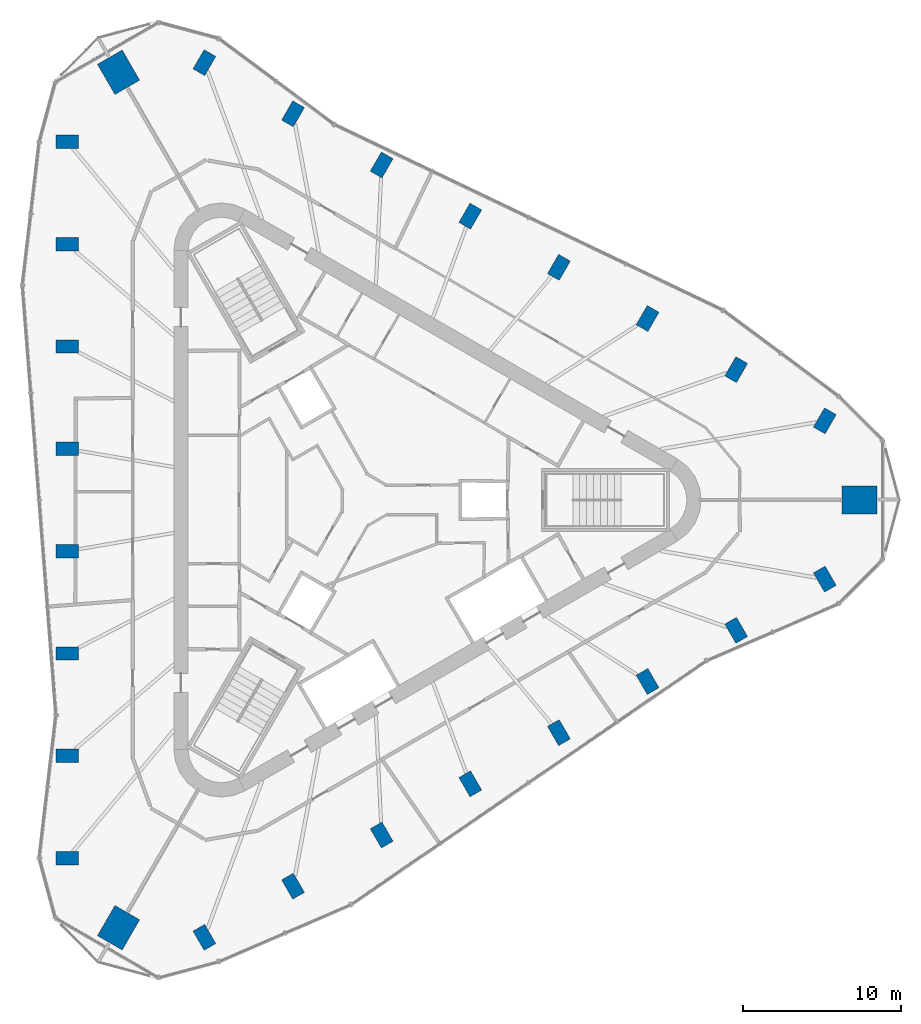
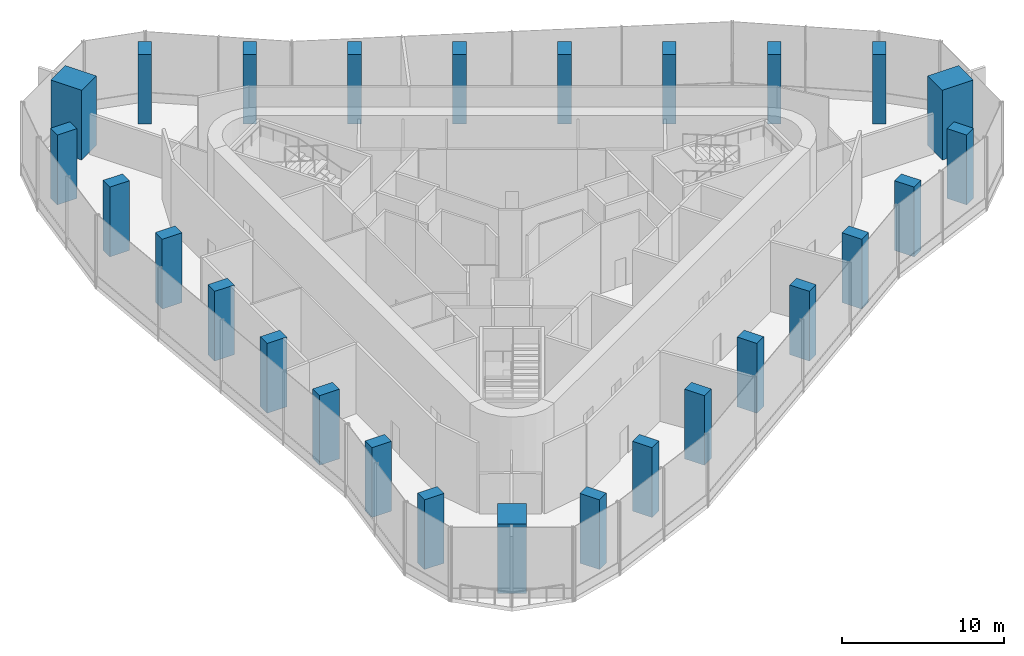
# One storey, part 1 of 13: 27 columns.
"""IFC4 building model written with IfcOpenShell, lengths in metres."""

from ifc_helpers import new_model, si_unit, direction, frame, origin, origin_2d, place, context, subcontext, project, spatial, rectangle, extrude, material, material_profile, profile_set, type_object, element, save


model = new_model("IFC4")

# Units and contexts
model_context = context("Model", 3, precision=1e-05, world=origin(), true_north=direction((0.0, 1.0)))
body_context = subcontext(model_context, "Body", "Model", "MODEL_VIEW")
ifc_project = project(units=[si_unit("LENGTHUNIT", "METRE"), si_unit("AREAUNIT", "SQUARE_METRE"), si_unit("VOLUMEUNIT", "CUBIC_METRE"), si_unit("PLANEANGLEUNIT", "RADIAN"), si_unit("MASSUNIT", "GRAM", prefix="KILO")], contexts=[model_context])

# Site, building, storey
site_placement = place(None, origin())
site = spatial("IfcSite", under=ifc_project, at=site_placement, CompositionType="ELEMENT")
building_placement = place(site_placement, origin())
building = spatial("IfcBuilding", under=site, at=building_placement, Name="Tanit Gate Tower", CompositionType="ELEMENT")
storey_placement = place(building_placement, frame((0.0, 0.0, 404.800048828125)))
storey = spatial("IfcBuildingStorey", under=building, at=storey_placement, Name="L92", CompositionType="ELEMENT", Elevation=404.800048828125)

# Columns
ifc_material_1 = material(Name="Concrete C40/50", Category="concrete")
ifc_material_profile_1 = material_profile(ifc_material_1, rectangle(XDim=2.199951171875, YDim=1.800048828125, at=origin_2d()), Name="RC 2200x1800")
ifc_profile_set_1 = profile_set([ifc_material_profile_1], Name="Concrete C40/50")
column_type_1 = type_object("IfcColumnType", Name="MEGA COLUMN 2200x1800 C40/50", PredefinedType="COLUMN", material=ifc_profile_set_1)
for number, where, z_axis, x_axis, name in (
    (1, (31.19580078125, 0.0, 0.0), (0.0, 0.0, 1.0), (1.0, 0.0, 0.0), "MEGA COLUMN"),
    (2, (-15.597900390625, 27.016357421875, 0.0), (0.0, 0.0, 1.0), (-0.5, 0.866025403784, 0.0), "MEGA COLUMN"),
    (3, (-15.597900390625, -27.016357421875, 0.0), (0.0, 0.0, 1.0), (-0.5, -0.866025403784, 0.0), "MEGA COLUMN"),
):
    element("IfcColumn", number, at=place(storey_placement, frame(where, z_axis=z_axis, x_axis=x_axis)), inside=storey, type_object=column_type_1, Name=name, PredefinedType="COLUMN", context=body_context, shape_type="SweptSolid", body=[
        extrude(rectangle(XDim=2.199951171875, YDim=1.800048828125, at=origin_2d()), origin(), (0.0, 0.0, 1.0), 5.25),
    ])
ifc_material_2 = material(Name="Concrete C40/50", Category="concrete")
ifc_material_profile_2 = material_profile(ifc_material_2, rectangle(XDim=1.39990234375, YDim=0.85009765625, at=origin_2d()), Name="RC 1400x850")
ifc_profile_set_2 = profile_set([ifc_material_profile_2], Name="Concrete C40/50")
column_type_2 = type_object("IfcColumnType", Name="PERIMETER COLUMN 1400x850 C40/50", PredefinedType="COLUMN", material=ifc_profile_set_2)
for number, where, z_axis, x_axis, name in (
    (4, (-18.833984375, 22.62353515625, 0.0), (0.0, 0.0, 1.0), (-1.0, 0.0, 0.0), "PERIMETER COLUMN"),
    (5, (-18.833984375, 16.15966796875, 0.0), (0.0, 0.0, 1.0), (-1.0, 0.0, 0.0), "PERIMETER COLUMN"),
    (6, (-18.833984375, 9.69580078125, 0.0), (0.0, 0.0, 1.0), (-1.0, 0.0, 0.0), "PERIMETER COLUMN"),
    (7, (-18.833984375, 3.23193359375, 0.0), (0.0, 0.0, 1.0), (-1.0, 0.0, 0.0), "PERIMETER COLUMN"),
    (8, (-18.833984375, -3.23193359375, 0.0), (0.0, 0.0, 1.0), (-1.0, 0.0, 0.0), "PERIMETER COLUMN"),
    (9, (-18.833984375, -9.69580078125, 0.0), (0.0, 0.0, 1.0), (-1.0, 0.0, 0.0), "PERIMETER COLUMN"),
    (10, (-18.833984375, -16.15966796875, 0.0), (0.0, 0.0, 1.0), (-1.0, 0.0, 0.0), "PERIMETER COLUMN"),
    (11, (-18.833984375, -22.62353515625, 0.0), (0.0, 0.0, 1.0), (-1.0, 0.0, 0.0), "PERIMETER COLUMN"),
    (12, (29.009521484375, 4.998779296875, 0.0), (0.0, 0.0, 1.0), (0.5, 0.866025403784, 0.0), "PERIMETER COLUMN"),
    (13, (23.41162109375, 8.230712890625, 0.0), (0.0, 0.0, 1.0), (0.5, 0.866025403784, 0.0), "PERIMETER COLUMN"),
    (14, (17.813720703125, 11.462890625, 0.0), (0.0, 0.0, 1.0), (0.5, 0.866025403784, 0.0), "PERIMETER COLUMN"),
    (15, (12.2158203125, 14.694580078125, 0.0), (0.0, 0.0, 1.0), (0.5, 0.866025403784, 0.0), "PERIMETER COLUMN"),
    (16, (6.617919921875, 17.9267578125, 0.0), (0.0, 0.0, 1.0), (0.5, 0.866025403784, 0.0), "PERIMETER COLUMN"),
    (17, (1.02001953125, 21.15869140625, 0.0), (0.0, 0.0, 1.0), (0.5, 0.866025403784, 0.0), "PERIMETER COLUMN"),
    (18, (-4.577880859375, 24.390625, 0.0), (0.0, 0.0, 1.0), (0.5, 0.866025403784, 0.0), "PERIMETER COLUMN"),
    (19, (-10.17578125, 27.62255859375, 0.0), (0.0, 0.0, 1.0), (0.5, 0.866025403784, 0.0), "PERIMETER COLUMN"),
    (20, (-10.17578125, -27.62255859375, 0.0), (0.0, 0.0, 1.0), (0.5, -0.866025403784, 0.0), "PERIMETER COLUMN"),
    (21, (-4.577880859375, -24.390625, 0.0), (0.0, 0.0, 1.0), (0.5, -0.866025403784, 0.0), "PERIMETER COLUMN"),
    (22, (1.02001953125, -21.15869140625, 0.0), (0.0, 0.0, 1.0), (0.5, -0.866025403784, 0.0), "PERIMETER COLUMN"),
    (23, (6.617919921875, -17.9267578125, 0.0), (0.0, 0.0, 1.0), (0.5, -0.866025403784, 0.0), "PERIMETER COLUMN"),
    (24, (12.2158203125, -14.694580078125, 0.0), (0.0, 0.0, 1.0), (0.5, -0.866025403784, 0.0), "PERIMETER COLUMN"),
    (25, (17.813720703125, -11.462890625, 0.0), (0.0, 0.0, 1.0), (0.5, -0.866025403784, 0.0), "PERIMETER COLUMN"),
    (26, (23.41162109375, -8.230712890625, 0.0), (0.0, 0.0, 1.0), (0.5, -0.866025403784, 0.0), "PERIMETER COLUMN"),
    (27, (29.009521484375, -4.998779296875, 0.0), (0.0, 0.0, 1.0), (0.5, -0.866025403784, 0.0), "PERIMETER COLUMN"),
):
    element("IfcColumn", number, at=place(storey_placement, frame(where, z_axis=z_axis, x_axis=x_axis)), inside=storey, type_object=column_type_2, Name=name, PredefinedType="COLUMN", context=body_context, shape_type="SweptSolid", body=[
        extrude(rectangle(XDim=1.39990234375, YDim=0.85009765625, at=origin_2d()), origin(), (0.0, 0.0, 1.0), 5.25),
    ])

save(model, "model.ifc")
